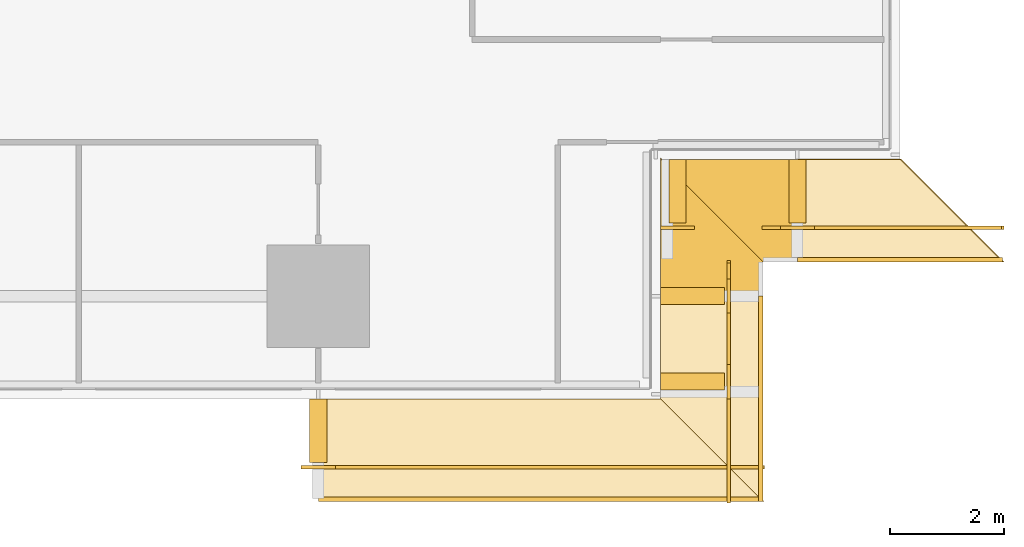
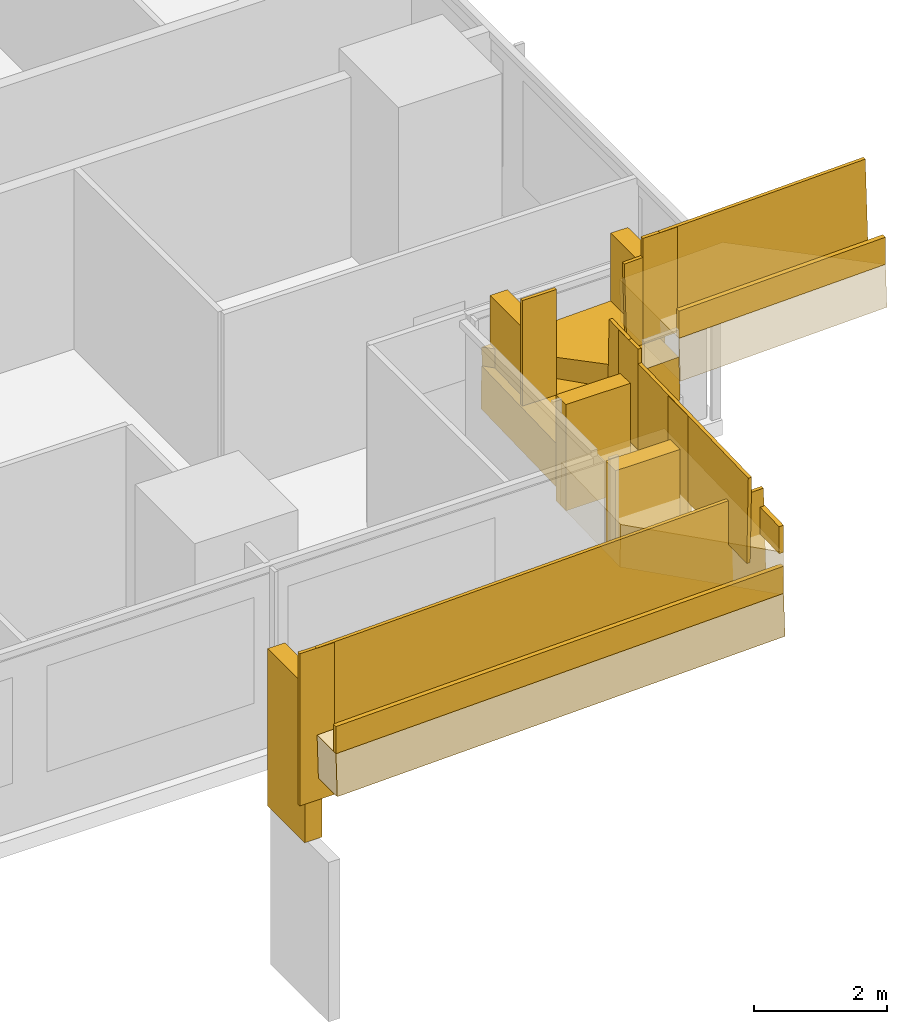
# One storey, part 28 of 30: 13 coverings, 10 railings.
"""IFC4 building model written with IfcOpenShell, lengths in metres."""

from ifc_helpers import new_model, si_unit, direction, frame, origin, origin_2d, place, context, subcontext, project, spatial, polyline, rectangle, outline, extrude, material, layer, layer_set, type_object, element, save


model = new_model("IFC4")

# Units and contexts
model_context = context("Model", 3, precision=1e-05, world=origin(), true_north=direction((0.0, 1.0)))
body_context = subcontext(model_context, "Body", "Model", "MODEL_VIEW")
ifc_project = project(units=[si_unit("LENGTHUNIT", "METRE"), si_unit("AREAUNIT", "SQUARE_METRE"), si_unit("VOLUMEUNIT", "CUBIC_METRE"), si_unit("PLANEANGLEUNIT", "RADIAN"), si_unit("MASSUNIT", "GRAM", prefix="KILO")], contexts=[model_context])

# Site, building, storey
site_placement = place(None, origin())
site = spatial("IfcSite", under=ifc_project, at=site_placement, CompositionType="ELEMENT")
building_placement = place(site_placement, origin())
building = spatial("IfcBuilding", under=site, at=building_placement, Name="Saffron Gate Tower", CompositionType="ELEMENT")
storey_placement = place(building_placement, frame((0.0, 0.0, 179.85009765625)))
storey = spatial("IfcBuildingStorey", under=building, at=storey_placement, Name="L44", CompositionType="ELEMENT", Elevation=179.85009765625)

# Coverings
ifc_material = material(Name="Timber, thermally modified ash", Category="wood")
ifc_layer_1 = layer(ifc_material, 0.800048828125)
ifc_layer_set_1 = layer_set([ifc_layer_1], Name="LD1 ledge timber")
covering_type_1 = type_object("IfcCoveringType", Name="LD1 ledge timber", PredefinedType="CLADDING", material=ifc_layer_set_1)
covering_1_placement = place(storey_placement, frame((117.0, 30.0, 1.055419921875), z_axis=(-0.028807146299, 3.5027307e-05, 0.99958498743), x_axis=(0.999584988043, 3.68e-10, 0.028807146316)))
element("IfcCovering", 1, at=covering_1_placement, inside=storey, type_object=covering_type_1, Name="LEDGE", PredefinedType="CLADDING", context=body_context, shape_type="SweptSolid", body=[
    extrude(outline(polyline([(0.0, 0.0), (6.0024892885105, -2.541098841762901e-21), (7.8032891020589235, -1.8000488321003227), (-6.622937652878055e-10, -1.8000488270207489), (0.0, 0.0)])), origin(), (0.0, 0.0, -1.0), 0.800048828125),
])
covering_2_placement = place(storey_placement, frame((123.0, 30.0, 2.085693359375), z_axis=(-4.5191205e-05, -0.028831989003, 0.999584270769), x_axis=(2.041e-09, 0.999584271789, 0.028831989032)))
element("IfcCovering", 2, at=covering_2_placement, inside=storey, type_object=covering_type_1, Name="LEDGE", PredefinedType="CLADDING", context=body_context, shape_type="SweptSolid", body=[
    extrude(outline(polyline([(0.0, 0.0), (1.8007998167885757, 0.0), (1.8007998204631834, -1.80004882628693), (-1.8007927740541456, -1.800048837315338), (0.0, 0.0)])), origin(), (0.0, 0.0, -1.0), 0.800048828125),
])
covering_3_placement = place(storey_placement, frame((123.0, 31.800048828125, 2.394775390625), z_axis=(-2.8677152e-05, -0.028798988267, 0.999585222706), x_axis=(-6.17e-10, 0.999585223117, 0.028798988279)))
element("IfcCovering", 3, at=covering_3_placement, inside=storey, type_object=covering_type_1, Name="LEDGE", PredefinedType="CLADDING", context=body_context, shape_type="SweptSolid", body=[
    extrude(outline(polyline([(0.0, 0.0), (2.400896693585025, 4.235164736271502e-22), (0.6001039103565923, -1.8000488292351675), (-1.1098572600196767e-09, -1.8000488273848385), (0.0, 0.0)])), origin(), (0.0, 0.0, -1.0), 0.800048828125),
])
covering_4_placement = place(storey_placement, frame((123.0, 34.199951171875, 2.806884765625), z_axis=(-0.028717702301, 7.9786444e-05, 0.99958755855), x_axis=(0.999587561732, -4.773e-09, 0.028717702392)))
element("IfcCovering", 4, at=covering_4_placement, inside=storey, type_object=covering_type_1, Name="LEDGE", PredefinedType="CLADDING", context=body_context, shape_type="SweptSolid", body=[
    extrude(outline(polyline([(0.0, 0.0), (2.400896689844359, 8.470329472543003e-22), (2.400896698435549, -1.8000488223955553), (1.8007998043088487, -1.800048836718559), (0.0, 0.0)])), origin(), (0.0, 0.0, -1.0), 0.800048828125),
])
covering_5_placement = place(storey_placement, frame((125.39990234375, 34.199951171875, 3.218994140625), z_axis=(-0.028831989003, -4.5191205e-05, 0.999584270769), x_axis=(0.999584271789, 2.041e-09, 0.028831989032)))
element("IfcCovering", 5, at=covering_5_placement, inside=storey, type_object=covering_type_1, Name="LEDGE", PredefinedType="CLADDING", context=body_context, shape_type="SweptSolid", body=[
    extrude(outline(polyline([(0.0, 0.0), (1.8007998167885757, 0.0), (3.6015925908427215, -1.800048837315338), (-3.6746077267916745e-09, -1.80004882628693), (0.0, 0.0)])), origin(), (0.0, 0.0, -1.0), 0.800048828125),
])
ifc_layer_2 = layer(ifc_material, 0.080078125)
ifc_layer_set_2 = layer_set([ifc_layer_2], Name="LD2 ledge planter trough")
covering_type_2 = type_object("IfcCoveringType", Name="LD2 ledge planter trough", PredefinedType="CLADDING", material=ifc_layer_set_2)
covering_6_placement = place(storey_placement, frame((117.0, 28.199951171875, 1.055419921875), z_axis=(0.0, -1.0, 0.0), x_axis=(0.999584755248, 0.0, 0.028815222999)))
element("IfcCovering", 6, at=covering_6_placement, inside=storey, type_object=covering_type_2, Name="LEDGE planter trough", PredefinedType="CLADDING", context=body_context, shape_type="SweptSolid", body=[
    extrude(outline(polyline([(0.0, 0.0), (7.803289102975944, 0.0), (7.8176967144752565, 0.4997923776238338), (0.014407611499312996, 0.4997923776238338), (0.0, 0.0)])), origin(), (0.0, 0.0, -1.0), 0.080078125),
])
for number, where, z_axis, x_axis, name in (
    (7, (124.800048828125, 28.199951171875, 2.033935546875), (1.0, 0.0, 0.0), (0.0, 0.99958492274, 0.028809412191), "LEDGE planter trough"),
    (8, (125.39990234375, 32.39990234375, 3.218994140625), (0.0, -1.0, 0.0), (0.99958492274, 0.0, 0.028809412191), "LEDGE planter trough"),
):
    element("IfcCovering", number, at=place(storey_placement, frame(where, z_axis=z_axis, x_axis=x_axis)), inside=storey, type_object=covering_type_2, Name=name, PredefinedType="CLADDING", context=body_context, shape_type="SweptSolid", body=[
        extrude(outline(polyline([(0.0, 0.0), (3.601592595435983, 0.0), (3.6159973015313485, 0.4997924613700232), (0.014404706095365512, 0.4997924613700232), (0.0, 0.0)])), origin(), (0.0, 0.0, -1.0), 0.080078125),
    ])
ifc_layer_3 = layer(ifc_material, 0.300048828125)
ifc_layer_set_3 = layer_set([ifc_layer_3], Name="LD3 ledge riser fin")
covering_type_3 = type_object("IfcCoveringType", Name="LD3 ledge riser fin", PredefinedType="CLADDING", material=ifc_layer_set_3)
covering_7_placement = place(storey_placement, frame((117.0, 29.43994140625, -0.94482421875), z_axis=(0.0, 0.0, 1.0), x_axis=(1.0, 0.0, 0.0)))
element("IfcCovering", 9, at=covering_7_placement, inside=storey, type_object=covering_type_3, Name="LEDGE riser fin", PredefinedType="CLADDING", context=body_context, shape_type="SweptSolid", body=[
    extrude(rectangle(XDim=0.300048828125, YDim=1.1201171875, at=origin_2d()), origin(), (0.0, 0.0, 1.0), 2.900390625),
])
covering_8_placement = place(storey_placement, frame((123.56005859375, 30.300048828125, 0.42822265625), z_axis=(0.0, 0.0, 1.0), x_axis=(0.0, 1.0, 0.0)))
element("IfcCovering", 10, at=covering_8_placement, inside=storey, type_object=covering_type_3, Name="LEDGE riser fin", PredefinedType="CLADDING", context=body_context, shape_type="SweptSolid", body=[
    extrude(rectangle(XDim=0.300048828125, YDim=1.1201171875, at=origin_2d()), origin(), (0.0, 0.0, 1.0), 2.557373046875),
])
covering_9_placement = place(storey_placement, frame((123.56005859375, 31.800048828125, 1.33740234375), z_axis=(0.0, 0.0, 1.0), x_axis=(0.0, 1.0, 0.0)))
element("IfcCovering", 11, at=covering_9_placement, inside=storey, type_object=covering_type_3, Name="LEDGE riser fin", PredefinedType="CLADDING", context=body_context, shape_type="SweptSolid", body=[
    extrude(rectangle(XDim=0.300048828125, YDim=1.1201171875, at=origin_2d()), origin(), (0.0, 0.0, 1.0), 1.957275390625),
])
for number, where, z_axis, x_axis, name in (
    (12, (123.300048828125, 33.639892578125, 1.6640625), (0.0, 0.0, 1.0), (1.0, 0.0, 0.0), "LEDGE riser fin"),
    (13, (125.39990234375, 33.639892578125, 2.076171875), (0.0, 0.0, 1.0), (1.0, 0.0, 0.0), "LEDGE riser fin"),
):
    element("IfcCovering", number, at=place(storey_placement, frame(where, z_axis=z_axis, x_axis=x_axis)), inside=storey, type_object=covering_type_3, Name=name, PredefinedType="CLADDING", context=body_context, shape_type="SweptSolid", body=[
        extrude(rectangle(XDim=0.300048828125, YDim=1.1201171875, at=origin_2d()), origin(), (0.0, 0.0, 1.0), 2.04296875),
    ])

# Railings
railing_type = type_object("IfcRailingType", Name="LG1 ledge balustrade", PredefinedType="BALUSTRADE", material=ifc_material)
railing_1_placement = place(storey_placement, frame((117.0, 28.800048828125, 1.055419921875)))
element("IfcRailing", 14, at=railing_1_placement, inside=storey, type_object=railing_type, Name="LEDGE BALUSTRADE", PredefinedType="BALUSTRADE", context=body_context, shape_type="SweptSolid", body=[
    extrude(rectangle(XDim=0.06005859375, YDim=1.60009765625, at=origin_2d()), frame((0.0, 0.0, 0.800048828125), z_axis=(0.999584755248, 0.0, 0.028815222999), x_axis=(0.0, 1.0, 0.0)), (0.0, 0.0, 1.0), 7.80322265625),
])
railing_2_placement = place(storey_placement, frame((116.699951171875, 28.800048828125, -0.144775390625)))
element("IfcRailing", 15, at=railing_2_placement, inside=storey, type_object=railing_type, Name="LEDGE BALUSTRADE", PredefinedType="BALUSTRADE", context=body_context, shape_type="SweptSolid", body=[
    extrude(rectangle(XDim=0.06005859375, YDim=2.80029296875, at=origin_2d()), frame((0.0, 0.0, 1.400146484375), z_axis=(1.0, 0.0, 0.0), x_axis=(0.0, 1.0, 0.0)), (0.0, 0.0, 1.0), 0.60009765625),
])
railing_3_placement = place(storey_placement, frame((124.199951171875, 28.199951171875, 2.033935546875)))
element("IfcRailing", 16, at=railing_3_placement, inside=storey, type_object=railing_type, Name="LEDGE BALUSTRADE", PredefinedType="BALUSTRADE", context=body_context, shape_type="SweptSolid", body=[
    extrude(rectangle(XDim=0.06005859375, YDim=1.60009765625, at=origin_2d()), frame((0.0, 0.0, 0.800048828125), z_axis=(0.0, 0.99958492274, 0.028809412191), x_axis=(-1.0, 0.0, 0.0)), (0.0, 0.0, 1.0), 3.6015625),
])
railing_4_placement = place(storey_placement, frame((124.199951171875, 30.0, 1.228271484375)))
element("IfcRailing", 17, at=railing_4_placement, inside=storey, type_object=railing_type, Name="LEDGE BALUSTRADE", PredefinedType="BALUSTRADE", context=body_context, shape_type="SweptSolid", body=[
    extrude(rectangle(XDim=0.06005859375, YDim=2.45751953125, at=origin_2d()), frame((0.0, 0.0, 1.228759765625), z_axis=(0.0, 1.0, 0.0), x_axis=(-1.0, 0.0, 0.0)), (0.0, 0.0, 1.0), 0.60009765625),
])
railing_5_placement = place(storey_placement, frame((124.199951171875, 31.800048828125, 2.394775390625)))
element("IfcRailing", 18, at=railing_5_placement, inside=storey, type_object=railing_type, Name="LEDGE BALUSTRADE", PredefinedType="BALUSTRADE", context=body_context, shape_type="SweptSolid", body=[
    extrude(rectangle(XDim=0.06005859375, YDim=1.60009765625, at=origin_2d()), frame((0.0, 0.0, 0.800048828125), z_axis=(0.0, 0.999582742162, 0.028884971385), x_axis=(-1.0, 0.0, 0.0)), (0.0, 0.0, 1.0), 0.60009765625),
])
railing_6_placement = place(storey_placement, frame((124.199951171875, 31.5, 2.1376953125)))
element("IfcRailing", 19, at=railing_6_placement, inside=storey, type_object=railing_type, Name="LEDGE BALUSTRADE", PredefinedType="BALUSTRADE", context=body_context, shape_type="SweptSolid", body=[
    extrude(rectangle(XDim=0.06005859375, YDim=1.857177734375, at=origin_2d()), frame((0.0, 0.0, 0.9287109375), z_axis=(0.0, 1.0, 0.0), x_axis=(-1.0, 0.0, 0.0)), (0.0, 0.0, 1.0), 0.60009765625),
])
railing_7_placement = place(storey_placement, frame((124.800048828125, 33.0, 2.85888671875)))
element("IfcRailing", 20, at=railing_7_placement, inside=storey, type_object=railing_type, Name="LEDGE BALUSTRADE", PredefinedType="BALUSTRADE", context=body_context, shape_type="SweptSolid", body=[
    extrude(rectangle(XDim=0.06005859375, YDim=1.60009765625, at=origin_2d()), frame((0.0, 0.0, 0.800048828125), z_axis=(0.999594406032, 0.0, 0.028478473106), x_axis=(0.0, 1.0, 0.0)), (0.0, 0.0, 1.0), 0.60009765625),
])
railing_8_placement = place(storey_placement, frame((123.0, 33.0, 2.4638671875)))
element("IfcRailing", 21, at=railing_8_placement, inside=storey, type_object=railing_type, Name="LEDGE BALUSTRADE", PredefinedType="BALUSTRADE", context=body_context, shape_type="SweptSolid", body=[
    extrude(rectangle(XDim=0.06005859375, YDim=1.943115234375, at=origin_2d()), frame((0.0, 0.0, 0.9716796875), z_axis=(1.0, 0.0, 0.0), x_axis=(0.0, 1.0, 0.0)), (0.0, 0.0, 1.0), 0.60009765625),
])
railing_9_placement = place(storey_placement, frame((125.39990234375, 33.0, 3.218994140625)))
element("IfcRailing", 22, at=railing_9_placement, inside=storey, type_object=railing_type, Name="LEDGE BALUSTRADE", PredefinedType="BALUSTRADE", context=body_context, shape_type="SweptSolid", body=[
    extrude(rectangle(XDim=0.06005859375, YDim=1.60009765625, at=origin_2d()), frame((0.0, 0.0, 0.800048828125), z_axis=(0.99958492274, 0.0, 0.028809412191), x_axis=(0.0, 1.0, 0.0)), (0.0, 0.0, 1.0), 3.6015625),
])
railing_10_placement = place(storey_placement, frame((125.10009765625, 33.0, 2.8759765625)))
element("IfcRailing", 23, at=railing_10_placement, inside=storey, type_object=railing_type, Name="LEDGE BALUSTRADE", PredefinedType="BALUSTRADE", context=body_context, shape_type="SweptSolid", body=[
    extrude(rectangle(XDim=0.06005859375, YDim=1.943115234375, at=origin_2d()), frame((0.0, 0.0, 0.9716796875), z_axis=(1.0, 0.0, 0.0), x_axis=(0.0, 1.0, 0.0)), (0.0, 0.0, 1.0), 0.599853515625),
])

save(model, "model.ifc")
